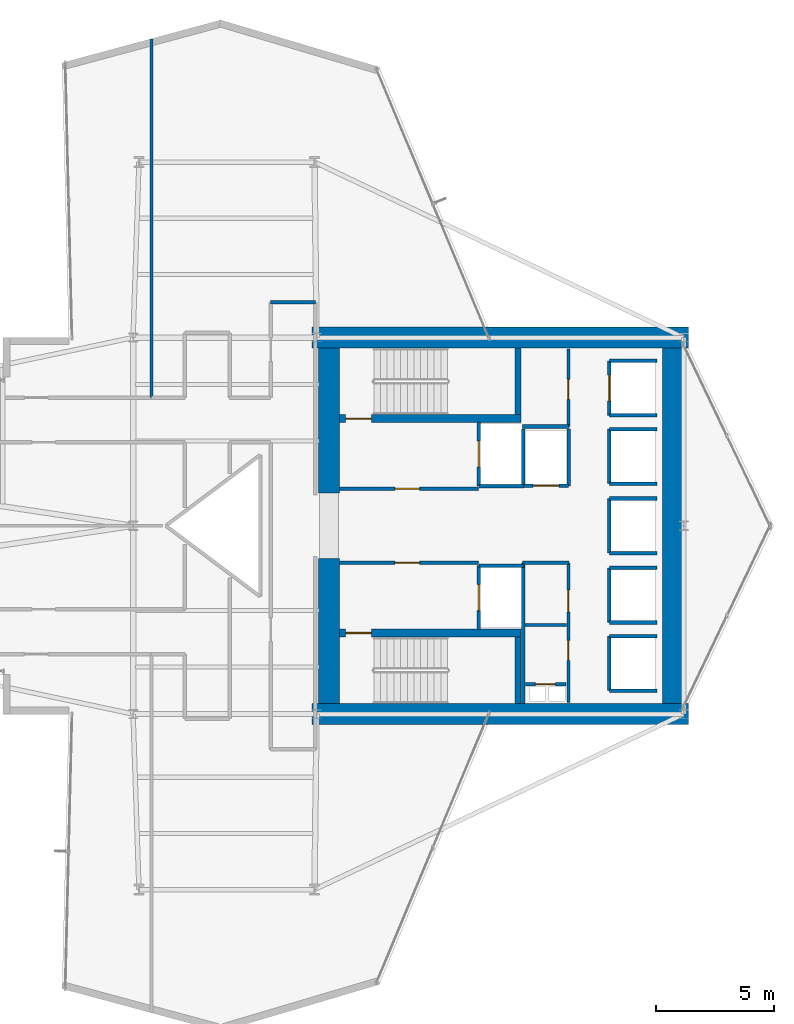
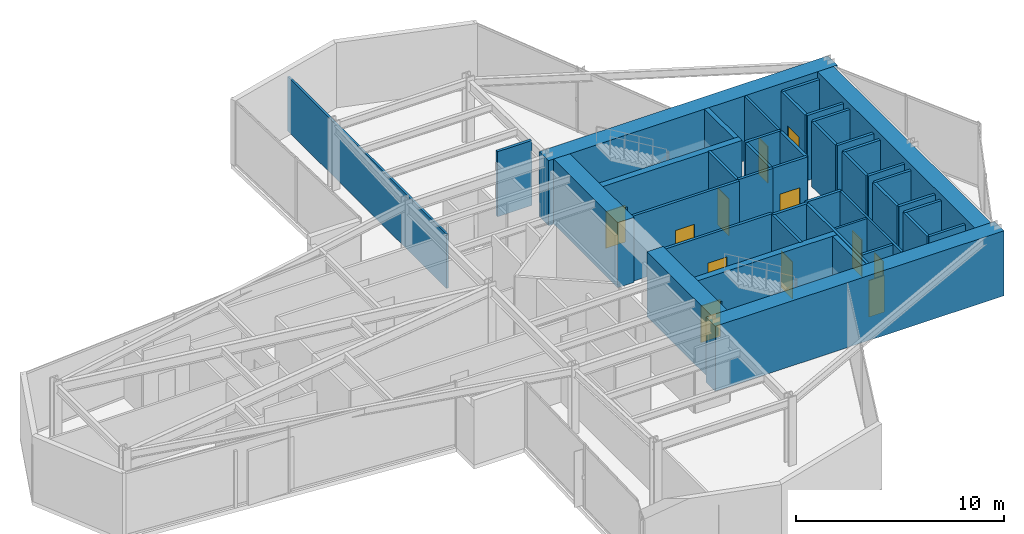
# One storey, part 23 of 25: 42 walls, 12 doors, 12 openings.
"""IFC4 building model written with IfcOpenShell, lengths in metres."""

from ifc_helpers import new_model, si_unit, direction, frame, frame_2d, origin, place, context, subcontext, project, spatial, rectangle, extrude, material, layer, layer_set, type_object, element, fill, save


model = new_model("IFC4")

# Units and contexts
model_context = context("Model", 3, precision=1e-05, world=origin(), true_north=direction((0.0, 1.0)))
body_context = subcontext(model_context, "Body", "Model", "MODEL_VIEW")
ifc_project = project(units=[si_unit("LENGTHUNIT", "METRE"), si_unit("AREAUNIT", "SQUARE_METRE"), si_unit("VOLUMEUNIT", "CUBIC_METRE"), si_unit("PLANEANGLEUNIT", "RADIAN"), si_unit("MASSUNIT", "GRAM", prefix="KILO")], contexts=[model_context])

# Site, building, storey
site_placement = place(None, origin())
site = spatial("IfcSite", under=ifc_project, at=site_placement, CompositionType="ELEMENT")
building_placement = place(site_placement, origin())
building = spatial("IfcBuilding", under=site, at=building_placement, Name="Veymaron Broadcast Tower", CompositionType="ELEMENT")
storey_placement = place(building_placement, frame((0.0, 0.0, 74.25)))
storey = spatial("IfcBuildingStorey", under=building, at=storey_placement, Name="L16", CompositionType="ELEMENT", Elevation=74.25)

# Wall, opening, door
ifc_material_1 = material(Name="Gypsum fireboard and steel stud framing", Category="steel")
ifc_layer_1 = layer(ifc_material_1, 0.14990234375)
ifc_layer_set_1 = layer_set([ifc_layer_1], Name="Gypsum fireboard and steel stud framing")
wall_type_1 = type_object("IfcWallType", Name="WALL-FIRE-150", PredefinedType="PARTITIONING", material=ifc_layer_set_1)
wall_1_placement = place(storey_placement, frame((39.97998046875, 25.574951171875, 0.0), z_axis=(0.0, 0.0, 1.0), x_axis=(1.0, 0.0, 0.0)))
wall_1 = element("IfcWall", 1, at=wall_1_placement, inside=storey, type_object=wall_type_1, Name="L16 partition IW-L16-FFLN-S", PredefinedType="PARTITIONING", context=body_context, shape_type="SweptSolid", body=[
    extrude(rectangle(XDim=5.89990234375, YDim=0.14990234375, at=frame_2d((2.949951171875, 0.0))), origin(), (0.0, 0.0, 1.0), 3.81005859375),
])
opening_1_placement = place(wall_1_placement, frame((2.35009765625, 0.0, 0.0)))
opening_1 = element("IfcOpeningElement", 2, at=opening_1_placement, cuts=wall_1, Name="Opening ID-FL1", PredefinedType="OPENING", context=body_context, shape_type="SweptSolid", body=[
    extrude(rectangle(XDim=1.050048828125, YDim=2.14990234375, at=frame_2d((0.52490234375, 1.074951171875))), frame((0.0, 0.0849609375, 0.0), z_axis=(0.0, -1.0, 0.0), x_axis=(1.0, 0.0, 0.0)), (0.0, 0.0, 1.0), 0.169921875),
])
ifc_material_2 = material(Name="Fire-rated painted hollow steel ASTM A653", Category="steel")
door_type_1 = type_object("IfcDoorType", Name="DOOR-FIRE-1050", OperationType="NOTDEFINED", PredefinedType="DOOR", material=ifc_material_2)
door_1_placement = place(opening_1_placement, origin())
door_1 = element("IfcDoor", 3, at=door_1_placement, inside=storey, type_object=door_type_1, Name="L16 door DR-L16-FFLN", OperationType="SINGLE_SWING_LEFT", OverallHeight=2.14990234375, OverallWidth=1.050048828125, PredefinedType="DOOR", context=body_context, shape_type="SweptSolid", body=[
    extrude(rectangle(XDim=1.050048828125, YDim=2.14990234375, at=frame_2d((0.52490234375, 1.074951171875))), frame((0.0, 0.02490234375, 0.0), z_axis=(0.0, -1.0, 0.0), x_axis=(1.0, 0.0, 0.0)), (0.0, 0.0, 1.0), 0.050048828125),
])
fill(opening_1, door_1)

wall_2_placement = place(storey_placement, frame((39.97998046875, 22.425048828125, 0.0), z_axis=(0.0, 0.0, 1.0), x_axis=(1.0, 0.0, 0.0)))
wall_2 = element("IfcWall", 4, at=wall_2_placement, inside=storey, type_object=wall_type_1, Name="L16 partition IW-L16-FFLS-N", PredefinedType="PARTITIONING", context=body_context, shape_type="SweptSolid", body=[
    extrude(rectangle(XDim=5.89990234375, YDim=0.14990234375, at=frame_2d((2.949951171875, 0.0))), origin(), (0.0, 0.0, 1.0), 3.81005859375),
])
opening_2_placement = place(wall_2_placement, frame((2.35009765625, 0.0, 0.0)))
opening_2 = element("IfcOpeningElement", 5, at=opening_2_placement, cuts=wall_2, Name="Opening ID-FL1", PredefinedType="OPENING", context=body_context, shape_type="SweptSolid", body=[
    extrude(rectangle(XDim=1.050048828125, YDim=2.14990234375, at=frame_2d((0.52490234375, 1.074951171875))), frame((0.0, 0.0849609375, 0.0), z_axis=(0.0, -1.0, 0.0), x_axis=(1.0, 0.0, 0.0)), (0.0, 0.0, 1.0), 0.169921875),
])
door_2_placement = place(opening_2_placement, frame((1.050048828125, 0.0, 0.0), z_axis=(0.0, 0.0, 1.0), x_axis=(-1.0, 0.0, 0.0)))
door_2 = element("IfcDoor", 6, at=door_2_placement, inside=storey, type_object=door_type_1, Name="L16 door DR-L16-FFLS", OperationType="SINGLE_SWING_RIGHT", OverallHeight=2.14990234375, OverallWidth=1.050048828125, PredefinedType="DOOR", context=body_context, shape_type="SweptSolid", body=[
    extrude(rectangle(XDim=1.050048828125, YDim=2.14990234375, at=frame_2d((0.52490234375, 1.074951171875))), frame((0.0, 0.02490234375, 0.0), z_axis=(0.0, -1.0, 0.0), x_axis=(1.0, 0.0, 0.0)), (0.0, 0.0, 1.0), 0.050048828125),
])
fill(opening_2, door_2)

wall_3_placement = place(storey_placement, frame((45.89501953125, 25.68994140625, 0.0), z_axis=(0.0, 0.0, 1.0), x_axis=(0.0, 1.0, 0.0)))
wall_3 = element("IfcWall", 7, at=wall_3_placement, inside=storey, type_object=wall_type_1, Name="L16 partition IW-L16-SHW-FFL-1", PredefinedType="PARTITIONING", context=body_context, shape_type="SweptSolid", body=[
    extrude(rectangle(XDim=2.719970703125, YDim=0.14990234375, at=frame_2d((1.35986328125, 0.0))), origin(), (0.0, 0.0, 1.0), 3.81005859375),
])
opening_3_placement = place(wall_3_placement, frame((0.81005859375, 0.0, 0.0)))
opening_3 = element("IfcOpeningElement", 8, at=opening_3_placement, cuts=wall_3, Name="Opening LD", PredefinedType="OPENING", context=body_context, shape_type="SweptSolid", body=[
    extrude(rectangle(XDim=1.10009765625, YDim=2.14990234375, at=frame_2d((0.550048828125, 1.074951171875))), frame((0.0, 0.0849609375, 0.0), z_axis=(0.0, -1.0, 0.0), x_axis=(1.0, 0.0, 0.0)), (0.0, 0.0, 1.0), 0.169921875),
])
ifc_material_3 = material(Name="Brushed stainless steel AISI 304", Category="steel")
door_type_2 = type_object("IfcDoorType", Name="DOOR-LIFT-1100", OperationType="DOUBLE_DOOR_SLIDING", PredefinedType="DOOR", material=ifc_material_3)
door_3_placement = place(opening_3_placement, frame((1.10009765625, 0.0, 0.0), z_axis=(0.0, 0.0, 1.0), x_axis=(-1.0, 0.0, 0.0)))
door_3 = element("IfcDoor", 9, at=door_3_placement, inside=storey, type_object=door_type_2, Name="L16 door LD-L16-FFL-1", OperationType="DOUBLE_DOOR_SLIDING", OverallHeight=2.14990234375, OverallWidth=1.10009765625, PredefinedType="DOOR", context=body_context, shape_type="SweptSolid", body=[
    extrude(rectangle(XDim=1.10009765625, YDim=2.14990234375, at=frame_2d((0.550048828125, 1.074951171875))), frame((0.0, 0.02490234375, 0.0), z_axis=(0.0, -1.0, 0.0), x_axis=(1.0, 0.0, 0.0)), (0.0, 0.0, 1.0), 0.050048828125),
])
fill(opening_3, door_3)

# Wall
wall_4_placement = place(storey_placement, frame((45.89501953125, 25.68994140625, 0.0), z_axis=(0.0, 0.0, 1.0), x_axis=(1.0, 0.0, 0.0)))
element("IfcWall", 10, at=wall_4_placement, inside=storey, type_object=wall_type_1, Name="L16 partition IW-L16-SHS-FFL-1", PredefinedType="PARTITIONING", context=body_context, shape_type="SweptSolid", body=[
    extrude(rectangle(XDim=1.9150390625, YDim=0.14990234375, at=frame_2d((0.95751953125, 0.0))), origin(), (0.0, 0.0, 1.0), 3.81005859375),
])

# Wall, opening, door
wall_5_placement = place(storey_placement, frame((45.89501953125, 19.590087890625, 0.0), z_axis=(0.0, 0.0, 1.0), x_axis=(0.0, 1.0, 0.0)))
wall_5 = element("IfcWall", 11, at=wall_5_placement, inside=storey, type_object=wall_type_1, Name="L16 partition IW-L16-SHW-FFL-2", PredefinedType="PARTITIONING", context=body_context, shape_type="SweptSolid", body=[
    extrude(rectangle(XDim=2.719970703125, YDim=0.14990234375, at=frame_2d((1.35986328125, 0.0))), origin(), (0.0, 0.0, 1.0), 3.81005859375),
])
opening_4_placement = place(wall_5_placement, frame((0.81005859375, 0.0, 0.0)))
opening_4 = element("IfcOpeningElement", 12, at=opening_4_placement, cuts=wall_5, Name="Opening LD", PredefinedType="OPENING", context=body_context, shape_type="SweptSolid", body=[
    extrude(rectangle(XDim=1.10009765625, YDim=2.14990234375, at=frame_2d((0.550048828125, 1.074951171875))), frame((0.0, 0.0849609375, 0.0), z_axis=(0.0, -1.0, 0.0), x_axis=(1.0, 0.0, 0.0)), (0.0, 0.0, 1.0), 0.169921875),
])
door_4_placement = place(opening_4_placement, frame((1.10009765625, 0.0, 0.0), z_axis=(0.0, 0.0, 1.0), x_axis=(-1.0, 0.0, 0.0)))
door_4 = element("IfcDoor", 13, at=door_4_placement, inside=storey, type_object=door_type_2, Name="L16 door LD-L16-FFL-2", OperationType="DOUBLE_DOOR_SLIDING", OverallHeight=2.14990234375, OverallWidth=1.10009765625, PredefinedType="DOOR", context=body_context, shape_type="SweptSolid", body=[
    extrude(rectangle(XDim=1.10009765625, YDim=2.14990234375, at=frame_2d((0.550048828125, 1.074951171875))), frame((0.0, 0.02490234375, 0.0), z_axis=(0.0, -1.0, 0.0), x_axis=(1.0, 0.0, 0.0)), (0.0, 0.0, 1.0), 0.050048828125),
])
fill(opening_4, door_4)

# Wall
wall_6_placement = place(storey_placement, frame((45.89501953125, 22.31005859375, 0.0), z_axis=(0.0, 0.0, 1.0), x_axis=(1.0, 0.0, 0.0)))
element("IfcWall", 14, at=wall_6_placement, inside=storey, type_object=wall_type_1, Name="L16 partition IW-L16-SHN-FFL-2", PredefinedType="PARTITIONING", context=body_context, shape_type="SweptSolid", body=[
    extrude(rectangle(XDim=1.9150390625, YDim=0.14990234375, at=frame_2d((0.95751953125, 0.0))), origin(), (0.0, 0.0, 1.0), 3.81005859375),
])

# Wall, opening, door
wall_7_placement = place(storey_placement, frame((47.7900390625, 25.695068359375, 0.0), z_axis=(0.0, 0.0, 1.0), x_axis=(1.0, 0.0, 0.0)))
wall_7 = element("IfcWall", 15, at=wall_7_placement, inside=storey, type_object=wall_type_1, Name="L16 partition IW-L16-SHS-SL-1", PredefinedType="PARTITIONING", context=body_context, shape_type="SweptSolid", body=[
    extrude(rectangle(XDim=1.919921875, YDim=0.14990234375, at=frame_2d((0.9599609375, 0.0))), origin(), (0.0, 0.0, 1.0), 3.81005859375),
])
opening_5_placement = place(wall_7_placement, frame((0.409912109375, 0.0, 0.0)))
opening_5 = element("IfcOpeningElement", 16, at=opening_5_placement, cuts=wall_7, Name="Opening LD", PredefinedType="OPENING", context=body_context, shape_type="SweptSolid", body=[
    extrude(rectangle(XDim=1.10009765625, YDim=2.14990234375, at=frame_2d((0.550048828125, 1.074951171875))), frame((0.0, 0.0849609375, 0.0), z_axis=(0.0, -1.0, 0.0), x_axis=(1.0, 0.0, 0.0)), (0.0, 0.0, 1.0), 0.169921875),
])
door_5_placement = place(opening_5_placement, frame((1.10009765625, 0.0, 0.0), z_axis=(0.0, 0.0, 1.0), x_axis=(-1.0, 0.0, 0.0)))
door_5 = element("IfcDoor", 17, at=door_5_placement, inside=storey, type_object=door_type_2, Name="L16 door LD-L16-SL-1", OperationType="DOUBLE_DOOR_SLIDING", OverallHeight=2.14990234375, OverallWidth=1.10009765625, PredefinedType="DOOR", context=body_context, shape_type="SweptSolid", body=[
    extrude(rectangle(XDim=1.10009765625, YDim=2.14990234375, at=frame_2d((0.550048828125, 1.074951171875))), frame((0.0, 0.02490234375, 0.0), z_axis=(0.0, -1.0, 0.0), x_axis=(1.0, 0.0, 0.0)), (0.0, 0.0, 1.0), 0.050048828125),
])
fill(opening_5, door_5)

# Walls
for number, where, z_axis, x_axis, name in (
    (18, (47.7900390625, 25.695068359375, 0.0), (0.0, 0.0, 1.0), (0.0, 1.0, 0.0), "L16 partition IW-L16-SHW-SL-1"),
    (19, (49.7099609375, 25.695068359375, 0.0), (0.0, 0.0, 1.0), (0.0, 1.0, 0.0), "L16 partition IW-L16-SHE-SL-1"),
):
    element("IfcWall", number, at=place(storey_placement, frame(where, z_axis=z_axis, x_axis=x_axis)), inside=storey, type_object=wall_type_1, Name=name, PredefinedType="PARTITIONING", context=body_context, shape_type="SweptSolid", body=[
        extrude(rectangle(XDim=2.4150390625, YDim=0.14990234375, at=frame_2d((1.20751953125, 0.0))), origin(), (0.0, 0.0, 1.0), 3.81005859375),
    ])

# Wall, opening, door
wall_8_placement = place(storey_placement, frame((51.445068359375, 28.68994140625, 0.0), z_axis=(0.0, 0.0, 1.0), x_axis=(0.0, 1.0, 0.0)))
wall_8 = element("IfcWall", 20, at=wall_8_placement, inside=storey, type_object=wall_type_1, Name="L16 partition IW-L16-SHW-PL1", PredefinedType="PARTITIONING", context=body_context, shape_type="SweptSolid", body=[
    extrude(rectangle(XDim=2.320068359375, YDim=0.14990234375, at=frame_2d((1.16015625, 0.0))), origin(), (0.0, 0.0, 1.0), 3.81005859375),
])
opening_6_placement = place(wall_8_placement, frame((0.610107421875, 0.0, 0.0)))
opening_6 = element("IfcOpeningElement", 21, at=opening_6_placement, cuts=wall_8, Name="Opening LD", PredefinedType="OPENING", context=body_context, shape_type="SweptSolid", body=[
    extrude(rectangle(XDim=1.10009765625, YDim=2.14990234375, at=frame_2d((0.550048828125, 1.074951171875))), frame((0.0, 0.0849609375, 0.0), z_axis=(0.0, -1.0, 0.0), x_axis=(1.0, 0.0, 0.0)), (0.0, 0.0, 1.0), 0.169921875),
])
door_6_placement = place(opening_6_placement, frame((1.10009765625, 0.0, 0.0), z_axis=(0.0, 0.0, 1.0), x_axis=(-1.0, 0.0, 0.0)))
door_6 = element("IfcDoor", 22, at=door_6_placement, inside=storey, type_object=door_type_2, Name="L16 door LD-L16-PL1", OperationType="DOUBLE_DOOR_SLIDING", OverallHeight=2.14990234375, OverallWidth=1.10009765625, PredefinedType="DOOR", context=body_context, shape_type="SweptSolid", body=[
    extrude(rectangle(XDim=1.10009765625, YDim=2.14990234375, at=frame_2d((0.550048828125, 1.074951171875))), frame((0.0, 0.02490234375, 0.0), z_axis=(0.0, -1.0, 0.0), x_axis=(1.0, 0.0, 0.0)), (0.0, 0.0, 1.0), 0.050048828125),
])
fill(opening_6, door_6)

# Walls
for number, where, z_axis, x_axis, name in (
    (23, (51.445068359375, 28.68994140625, 0.0), (0.0, 0.0, 1.0), (1.0, 0.0, 0.0), "L16 partition IW-L16-SHS-PL1"),
    (24, (51.445068359375, 31.010009765625, 0.0), (0.0, 0.0, 1.0), (1.0, 0.0, 0.0), "L16 partition IW-L16-SHN-PL1"),
):
    element("IfcWall", number, at=place(storey_placement, frame(where, z_axis=z_axis, x_axis=x_axis)), inside=storey, type_object=wall_type_1, Name=name, PredefinedType="PARTITIONING", context=body_context, shape_type="SweptSolid", body=[
        extrude(rectangle(XDim=2.014892578125, YDim=0.14990234375, at=frame_2d((1.00732421875, 0.0))), origin(), (0.0, 0.0, 1.0), 3.81005859375),
    ])
wall_9_placement = place(storey_placement, frame((51.445068359375, 25.7900390625, 0.0), z_axis=(0.0, 0.0, 1.0), x_axis=(0.0, 1.0, 0.0)))
element("IfcWall", 25, at=wall_9_placement, inside=storey, type_object=wall_type_1, Name="L16 partition IW-L16-SHW-PM1", PredefinedType="PARTITIONING", context=body_context, shape_type="SweptSolid", body=[
    extrude(rectangle(XDim=2.320068359375, YDim=0.14990234375, at=frame_2d((1.16015625, 0.0))), origin(), (0.0, 0.0, 1.0), 3.81005859375),
])
for number, where, z_axis, x_axis, name in (
    (26, (51.445068359375, 25.7900390625, 0.0), (0.0, 0.0, 1.0), (1.0, 0.0, 0.0), "L16 partition IW-L16-SHS-PM1"),
    (27, (51.445068359375, 28.110107421875, 0.0), (0.0, 0.0, 1.0), (1.0, 0.0, 0.0), "L16 partition IW-L16-SHN-PM1"),
):
    element("IfcWall", number, at=place(storey_placement, frame(where, z_axis=z_axis, x_axis=x_axis)), inside=storey, type_object=wall_type_1, Name=name, PredefinedType="PARTITIONING", context=body_context, shape_type="SweptSolid", body=[
        extrude(rectangle(XDim=2.014892578125, YDim=0.14990234375, at=frame_2d((1.00732421875, 0.0))), origin(), (0.0, 0.0, 1.0), 3.81005859375),
    ])
wall_10_placement = place(storey_placement, frame((51.445068359375, 19.889892578125, 0.0), z_axis=(0.0, 0.0, 1.0), x_axis=(0.0, 1.0, 0.0)))
element("IfcWall", 28, at=wall_10_placement, inside=storey, type_object=wall_type_1, Name="L16 partition IW-L16-SHW-PM2", PredefinedType="PARTITIONING", context=body_context, shape_type="SweptSolid", body=[
    extrude(rectangle(XDim=2.320068359375, YDim=0.14990234375, at=frame_2d((1.16015625, 0.0))), origin(), (0.0, 0.0, 1.0), 3.81005859375),
])
for number, where, z_axis, x_axis, name in (
    (29, (51.445068359375, 19.889892578125, 0.0), (0.0, 0.0, 1.0), (1.0, 0.0, 0.0), "L16 partition IW-L16-SHS-PM2"),
    (30, (51.445068359375, 22.2099609375, 0.0), (0.0, 0.0, 1.0), (1.0, 0.0, 0.0), "L16 partition IW-L16-SHN-PM2"),
):
    element("IfcWall", number, at=place(storey_placement, frame(where, z_axis=z_axis, x_axis=x_axis)), inside=storey, type_object=wall_type_1, Name=name, PredefinedType="PARTITIONING", context=body_context, shape_type="SweptSolid", body=[
        extrude(rectangle(XDim=2.014892578125, YDim=0.14990234375, at=frame_2d((1.00732421875, 0.0))), origin(), (0.0, 0.0, 1.0), 3.81005859375),
    ])
wall_11_placement = place(storey_placement, frame((51.445068359375, 22.840087890625, 0.0), z_axis=(0.0, 0.0, 1.0), x_axis=(0.0, 1.0, 0.0)))
element("IfcWall", 31, at=wall_11_placement, inside=storey, type_object=wall_type_1, Name="L16 partition IW-L16-SHW-PM3", PredefinedType="PARTITIONING", context=body_context, shape_type="SweptSolid", body=[
    extrude(rectangle(XDim=2.31982421875, YDim=0.14990234375, at=frame_2d((1.159912109375, 0.0))), origin(), (0.0, 0.0, 1.0), 3.81005859375),
])
for number, where, z_axis, x_axis, name in (
    (32, (51.445068359375, 22.840087890625, 0.0), (0.0, 0.0, 1.0), (1.0, 0.0, 0.0), "L16 partition IW-L16-SHS-PM3"),
    (33, (51.445068359375, 25.159912109375, 0.0), (0.0, 0.0, 1.0), (1.0, 0.0, 0.0), "L16 partition IW-L16-SHN-PM3"),
):
    element("IfcWall", number, at=place(storey_placement, frame(where, z_axis=z_axis, x_axis=x_axis)), inside=storey, type_object=wall_type_1, Name=name, PredefinedType="PARTITIONING", context=body_context, shape_type="SweptSolid", body=[
        extrude(rectangle(XDim=2.014892578125, YDim=0.14990234375, at=frame_2d((1.00732421875, 0.0))), origin(), (0.0, 0.0, 1.0), 3.81005859375),
    ])
wall_12_placement = place(storey_placement, frame((51.445068359375, 16.989990234375, 0.0), z_axis=(0.0, 0.0, 1.0), x_axis=(0.0, 1.0, 0.0)))
element("IfcWall", 34, at=wall_12_placement, inside=storey, type_object=wall_type_1, Name="L16 partition IW-L16-SHW-PH1", PredefinedType="PARTITIONING", context=body_context, shape_type="SweptSolid", body=[
    extrude(rectangle(XDim=2.320068359375, YDim=0.14990234375, at=frame_2d((1.16015625, 0.0))), origin(), (0.0, 0.0, 1.0), 3.81005859375),
])
for number, where, z_axis, x_axis, name in (
    (35, (51.445068359375, 16.989990234375, 0.0), (0.0, 0.0, 1.0), (1.0, 0.0, 0.0), "L16 partition IW-L16-SHS-PH1"),
    (36, (51.445068359375, 19.31005859375, 0.0), (0.0, 0.0, 1.0), (1.0, 0.0, 0.0), "L16 partition IW-L16-SHN-PH1"),
):
    element("IfcWall", number, at=place(storey_placement, frame(where, z_axis=z_axis, x_axis=x_axis)), inside=storey, type_object=wall_type_1, Name=name, PredefinedType="PARTITIONING", context=body_context, shape_type="SweptSolid", body=[
        extrude(rectangle(XDim=2.014892578125, YDim=0.14990234375, at=frame_2d((1.00732421875, 0.0))), origin(), (0.0, 0.0, 1.0), 3.81005859375),
    ])

# Wall, opening, door
wall_13_placement = place(storey_placement, frame((47.8798828125, 17.260009765625, 0.0), z_axis=(0.0, 0.0, 1.0), x_axis=(1.0, 0.0, 0.0)))
wall_13 = element("IfcWall", 37, at=wall_13_placement, inside=storey, type_object=wall_type_1, Name="L16 partition IW-L16-RIS-N", PredefinedType="PARTITIONING", context=body_context, shape_type="SweptSolid", body=[
    extrude(rectangle(XDim=1.72021484375, YDim=0.14990234375, at=frame_2d((0.860107421875, 0.0))), origin(), (0.0, 0.0, 1.0), 3.81005859375),
])
opening_7_placement = place(wall_13_placement, frame((0.419921875, 0.0, 0.0)))
opening_7 = element("IfcOpeningElement", 38, at=opening_7_placement, cuts=wall_13, Name="Opening ID-RS1", PredefinedType="OPENING", context=body_context, shape_type="SweptSolid", body=[
    extrude(rectangle(XDim=0.85009765625, YDim=2.14990234375, at=frame_2d((0.425048828125, 1.074951171875))), frame((0.0, 0.0849609375, 0.0), z_axis=(0.0, -1.0, 0.0), x_axis=(1.0, 0.0, 0.0)), (0.0, 0.0, 1.0), 0.169921875),
])
ifc_material_4 = material(Name="Fire-rated powder-coated steel riser leaf", Category="steel")
door_type_3 = type_object("IfcDoorType", Name="DOOR-RIS-850", OperationType="NOTDEFINED", PredefinedType="TRAPDOOR", material=ifc_material_4)
door_7_placement = place(opening_7_placement, origin())
door_7 = element("IfcDoor", 39, at=door_7_placement, inside=storey, type_object=door_type_3, Name="L16 door DR-L16-RIS", OperationType="SINGLE_SWING_LEFT", OverallHeight=2.14990234375, OverallWidth=0.85009765625, PredefinedType="TRAPDOOR", context=body_context, shape_type="SweptSolid", body=[
    extrude(rectangle(XDim=0.85009765625, YDim=2.14990234375, at=frame_2d((0.425048828125, 1.074951171875))), frame((0.0, 0.02490234375, 0.0), z_axis=(0.0, -1.0, 0.0), x_axis=(1.0, 0.0, 0.0)), (0.0, 0.0, 1.0), 0.050048828125),
])
fill(opening_7, door_7)

# Walls
wall_14_placement = place(storey_placement, frame((47.760009765625, 22.425048828125, 0.0), z_axis=(0.0, 0.0, 1.0), x_axis=(1.0, 0.0, 0.0)))
element("IfcWall", 40, at=wall_14_placement, inside=storey, type_object=wall_type_1, Name="L16 partition IW-L16-SM-N", PredefinedType="PARTITIONING", context=body_context, shape_type="SweptSolid", body=[
    extrude(rectangle(XDim=1.9599609375, YDim=0.14990234375, at=frame_2d((0.97998046875, 0.0))), origin(), (0.0, 0.0, 1.0), 3.81005859375),
])
wall_15_placement = place(storey_placement, frame((47.780029296875, 16.449951171875, 0.0), z_axis=(0.0, 0.0, 1.0), x_axis=(0.0, 1.0, 0.0)))
element("IfcWall", 41, at=wall_15_placement, inside=storey, type_object=wall_type_1, Name="L16 partition IW-L16-SM-W", PredefinedType="PARTITIONING", context=body_context, shape_type="SweptSolid", body=[
    extrude(rectangle(XDim=5.97509765625, YDim=0.14990234375, at=frame_2d((2.987548828125, 0.0))), origin(), (0.0, 0.0, 1.0), 3.81005859375),
])
wall_16_placement = place(storey_placement, frame((47.760009765625, 28.219970703125, 0.0), z_axis=(0.0, 0.0, 1.0), x_axis=(1.0, 0.0, 0.0)))
element("IfcWall", 42, at=wall_16_placement, inside=storey, type_object=wall_type_1, Name="L16 partition IW-L16-NM-S", PredefinedType="PARTITIONING", context=body_context, shape_type="SweptSolid", body=[
    extrude(rectangle(XDim=1.9599609375, YDim=0.14990234375, at=frame_2d((0.97998046875, 0.0))), origin(), (0.0, 0.0, 1.0), 3.81005859375),
])
wall_17_placement = place(storey_placement, frame((37.050048828125, 33.5, 0.0), z_axis=(0.0, 0.0, 1.0), x_axis=(1.0, 0.0, 0.0)))
element("IfcWall", 43, at=wall_17_placement, inside=storey, type_object=wall_type_1, Name="L16 partition IW-L16-P30", PredefinedType="PARTITIONING", context=body_context, shape_type="SweptSolid", body=[
    extrude(rectangle(XDim=1.89990234375, YDim=0.14990234375, at=frame_2d((0.949951171875, 0.0))), origin(), (0.0, 0.0, 1.0), 3.81005859375),
])
ifc_material_5 = material(Name="Acoustic gypsum board and galvanized stud", Category="gypsum")
ifc_layer_2 = layer(ifc_material_5, 0.1201171875)
ifc_layer_set_2 = layer_set([ifc_layer_2], Name="Acoustic gypsum board and galvanized stud")
wall_type_2 = type_object("IfcWallType", Name="WALL-PART-120", PredefinedType="PARTITIONING", material=ifc_layer_set_2)
wall_18_placement = place(storey_placement, frame((47.860107421875, 19.780029296875, 0.0), z_axis=(0.0, 0.0, 1.0), x_axis=(1.0, 0.0, 0.0)))
element("IfcWall", 44, at=wall_18_placement, inside=storey, type_object=wall_type_2, Name="L16 partition IW-L16-SM-DIV", PredefinedType="PARTITIONING", context=body_context, shape_type="SweptSolid", body=[
    extrude(rectangle(XDim=1.760009765625, YDim=0.1201171875, at=frame_2d((0.8798828125, 0.0))), origin(), (0.0, 0.0, 1.0), 3.81005859375),
])

# Wall, openings, doors
wall_19_placement = place(storey_placement, frame((49.699951171875, 16.47998046875, 0.0), z_axis=(0.0, 0.0, 1.0), x_axis=(0.0, 1.0, 0.0)))
wall_19 = element("IfcWall", 45, at=wall_19_placement, inside=storey, type_object=wall_type_2, Name="L16 partition IW-L16-SM-E", PredefinedType="PARTITIONING", context=body_context, shape_type="SweptSolid", body=[
    extrude(rectangle(XDim=5.945068359375, YDim=0.1201171875, at=frame_2d((2.97265625, 0.0))), origin(), (0.0, 0.0, 1.0), 3.81005859375),
])
opening_8_placement = place(wall_19_placement, frame((1.800048828125, 0.0, 0.0)))
opening_8 = element("IfcOpeningElement", 46, at=opening_8_placement, cuts=wall_19, Name="Opening ID-WC1", PredefinedType="OPENING", context=body_context, shape_type="SweptSolid", body=[
    extrude(rectangle(XDim=0.85009765625, YDim=2.14990234375, at=frame_2d((0.425048828125, 1.074951171875))), frame((0.0, 0.070068359375, 0.0), z_axis=(0.0, -1.0, 0.0), x_axis=(1.0, 0.0, 0.0)), (0.0, 0.0, 1.0), 0.14013671875),
])
opening_9_placement = place(wall_19_placement, frame((3.85009765625, 0.0, 0.0)))
opening_9 = element("IfcOpeningElement", 47, at=opening_9_placement, cuts=wall_19, Name="Opening ID-RM1", PredefinedType="OPENING", context=body_context, shape_type="SweptSolid", body=[
    extrude(rectangle(XDim=0.949951171875, YDim=2.14990234375, at=frame_2d((0.47509765625, 1.074951171875))), frame((0.0, 0.070068359375, 0.0), z_axis=(0.0, -1.0, 0.0), x_axis=(1.0, 0.0, 0.0)), (0.0, 0.0, 1.0), 0.14013671875),
])
ifc_material_6 = material(Name="Moisture-resistant high-pressure laminate timber", Category="wood")
door_type_4 = type_object("IfcDoorType", Name="DOOR-INT-850", OperationType="NOTDEFINED", PredefinedType="DOOR", material=ifc_material_6)
door_8_placement = place(opening_8_placement, frame((0.85009765625, 0.0, 0.0), z_axis=(0.0, 0.0, 1.0), x_axis=(-1.0, 0.0, 0.0)))
door_8 = element("IfcDoor", 48, at=door_8_placement, inside=storey, type_object=door_type_4, Name="L16 door DR-L16-SWC", OperationType="SINGLE_SWING_LEFT", OverallHeight=2.14990234375, OverallWidth=0.85009765625, PredefinedType="DOOR", context=body_context, shape_type="SweptSolid", body=[
    extrude(rectangle(XDim=0.85009765625, YDim=2.14990234375, at=frame_2d((0.425048828125, 1.074951171875))), frame((0.0, 0.02490234375, 0.0), z_axis=(0.0, -1.0, 0.0), x_axis=(1.0, 0.0, 0.0)), (0.0, 0.0, 1.0), 0.050048828125),
])
fill(opening_8, door_8)
ifc_material_7 = material(Name="Acoustic solid-core European oak veneer timber", Category="wood")
door_type_5 = type_object("IfcDoorType", Name="DOOR-INT-950", OperationType="NOTDEFINED", PredefinedType="DOOR", material=ifc_material_7)
door_9_placement = place(opening_9_placement, frame((0.949951171875, 0.0, 0.0), z_axis=(0.0, 0.0, 1.0), x_axis=(-1.0, 0.0, 0.0)))
door_9 = element("IfcDoor", 49, at=door_9_placement, inside=storey, type_object=door_type_5, Name="L16 door DR-L16-AWC", OperationType="SINGLE_SWING_RIGHT", OverallHeight=2.14990234375, OverallWidth=0.949951171875, PredefinedType="DOOR", context=body_context, shape_type="SweptSolid", body=[
    extrude(rectangle(XDim=0.949951171875, YDim=2.14990234375, at=frame_2d((0.47509765625, 1.074951171875))), frame((0.0, 0.02490234375, 0.0), z_axis=(0.0, -1.0, 0.0), x_axis=(1.0, 0.0, 0.0)), (0.0, 0.0, 1.0), 0.050048828125),
])
fill(opening_9, door_9)

# Wall, opening, door
wall_20_placement = place(storey_placement, frame((49.699951171875, 28.219970703125, 0.0), z_axis=(0.0, 0.0, 1.0), x_axis=(0.0, 1.0, 0.0)))
wall_20 = element("IfcWall", 50, at=wall_20_placement, inside=storey, type_object=wall_type_2, Name="L16 partition IW-L16-NM-E", PredefinedType="PARTITIONING", context=body_context, shape_type="SweptSolid", body=[
    extrude(rectangle(XDim=3.300048828125, YDim=0.1201171875, at=frame_2d((1.64990234375, 0.0))), origin(), (0.0, 0.0, 1.0), 3.81005859375),
])
opening_10_placement = place(wall_20_placement, frame((1.14990234375, 0.0, 0.0)))
opening_10 = element("IfcOpeningElement", 51, at=opening_10_placement, cuts=wall_20, Name="Opening ID-WC1", PredefinedType="OPENING", context=body_context, shape_type="SweptSolid", body=[
    extrude(rectangle(XDim=0.85009765625, YDim=2.14990234375, at=frame_2d((0.425048828125, 1.074951171875))), frame((0.0, 0.070068359375, 0.0), z_axis=(0.0, -1.0, 0.0), x_axis=(1.0, 0.0, 0.0)), (0.0, 0.0, 1.0), 0.14013671875),
])
door_10_placement = place(opening_10_placement, frame((0.85009765625, 0.0, 0.0), z_axis=(0.0, 0.0, 1.0), x_axis=(-1.0, 0.0, 0.0)))
door_10 = element("IfcDoor", 52, at=door_10_placement, inside=storey, type_object=door_type_4, Name="L16 door DR-L16-NMR", OperationType="SINGLE_SWING_LEFT", OverallHeight=2.14990234375, OverallWidth=0.85009765625, PredefinedType="DOOR", context=body_context, shape_type="SweptSolid", body=[
    extrude(rectangle(XDim=0.85009765625, YDim=2.14990234375, at=frame_2d((0.425048828125, 1.074951171875))), frame((0.0, 0.02490234375, 0.0), z_axis=(0.0, -1.0, 0.0), x_axis=(1.0, 0.0, 0.0)), (0.0, 0.0, 1.0), 0.050048828125),
])
fill(opening_10, door_10)

# Walls
wall_21_placement = place(storey_placement, frame((31.98388671875, 29.449951171875, 0.0), z_axis=(0.0, 0.0, 1.0), x_axis=(0.0, 1.0, 0.0)))
element("IfcWall", 53, at=wall_21_placement, inside=storey, type_object=wall_type_2, Name="L16 partition IW-L16-P40", PredefinedType="PARTITIONING", context=body_context, shape_type="SweptSolid", body=[
    extrude(rectangle(XDim=15.241943359375, YDim=0.1201171875, at=frame_2d((7.62109375, 0.0))), origin(), (0.0, 0.0, 1.0), 3.180908203125),
])
ifc_material_8 = material(Name="Concrete C50/60", Category="concrete")
ifc_layer_3 = layer(ifc_material_8, 0.25)
ifc_layer_set_3 = layer_set([ifc_layer_3], Name="Concrete C50/60")
wall_type_3 = type_object("IfcWallType", Name="WALL-SHEAR-250", PredefinedType="SHEAR", material=ifc_layer_set_3)
for number, where, z_axis, x_axis, name in (
    (54, (47.56494140625, 28.72998046875, 0.0), (0.0, 0.0, 1.0), (0.0, 1.0, 0.0), "L16 Core Wall north stair east shear"),
    (55, (47.56494140625, 16.449951171875, 0.0), (0.0, 0.0, 1.0), (0.0, 1.0, 0.0), "L16 Core Wall south stair east shear"),
):
    element("IfcWall", number, at=place(storey_placement, frame(where, z_axis=z_axis, x_axis=x_axis)), inside=storey, type_object=wall_type_3, Name=name, PredefinedType="SHEAR", context=body_context, shape_type="SweptSolid", body=[
        extrude(rectangle(XDim=2.820068359375, YDim=0.25, at=frame_2d((1.41015625, 0.0))), origin(), (0.0, 0.0, 1.0), 3.81005859375),
    ])

# Wall, opening, door
ifc_layer_4 = layer(ifc_material_8, 0.35009765625)
ifc_layer_set_4 = layer_set([ifc_layer_4], Name="Concrete C50/60")
wall_type_4 = type_object("IfcWallType", Name="WALL-SHEAR-350", PredefinedType="SHEAR", material=ifc_layer_set_4)
wall_22_placement = place(storey_placement, frame((39.97998046875, 28.554931640625, 0.0), z_axis=(0.0, 0.0, 1.0), x_axis=(1.0, 0.0, 0.0)))
wall_22 = element("IfcWall", 56, at=wall_22_placement, inside=storey, type_object=wall_type_4, Name="L16 Core Wall north stair spine", PredefinedType="SHEAR", context=body_context, shape_type="SweptSolid", body=[
    extrude(rectangle(XDim=7.7099609375, YDim=0.35009765625, at=frame_2d((3.85498046875, 0.0))), origin(), (0.0, 0.0, 1.0), 3.81005859375),
])
opening_11_placement = place(wall_22_placement, frame((0.25, 0.0, 0.0)))
opening_11 = element("IfcOpeningElement", 57, at=opening_11_placement, cuts=wall_22, Name="Opening ID-ST1", PredefinedType="OPENING", context=body_context, shape_type="SweptSolid", body=[
    extrude(rectangle(XDim=1.10009765625, YDim=2.14990234375, at=frame_2d((0.550048828125, 1.074951171875))), frame((0.0, 0.18505859375, 0.0), z_axis=(0.0, -1.0, 0.0), x_axis=(1.0, 0.0, 0.0)), (0.0, 0.0, 1.0), 0.3701171875),
])
door_type_6 = type_object("IfcDoorType", Name="DOOR-STAIR-1100", OperationType="NOTDEFINED", PredefinedType="DOOR", material=ifc_material_2)
door_11_placement = place(opening_11_placement, origin())
door_11 = element("IfcDoor", 58, at=door_11_placement, inside=storey, type_object=door_type_6, Name="L16 exit stair ST1 fire door", OperationType="SINGLE_SWING_LEFT", OverallHeight=2.14990234375, OverallWidth=1.10009765625, PredefinedType="DOOR", context=body_context, shape_type="SweptSolid", body=[
    extrude(rectangle(XDim=1.10009765625, YDim=2.14990234375, at=frame_2d((0.550048828125, 1.074951171875))), frame((0.0, 0.02490234375, 0.0), z_axis=(0.0, -1.0, 0.0), x_axis=(1.0, 0.0, 0.0)), (0.0, 0.0, 1.0), 0.050048828125),
])
fill(opening_11, door_11)

wall_23_placement = place(storey_placement, frame((39.97998046875, 19.445068359375, 0.0), z_axis=(0.0, 0.0, 1.0), x_axis=(1.0, 0.0, 0.0)))
wall_23 = element("IfcWall", 59, at=wall_23_placement, inside=storey, type_object=wall_type_4, Name="L16 Core Wall south stair spine", PredefinedType="SHEAR", context=body_context, shape_type="SweptSolid", body=[
    extrude(rectangle(XDim=7.7099609375, YDim=0.35009765625, at=frame_2d((3.85498046875, 0.0))), origin(), (0.0, 0.0, 1.0), 3.81005859375),
])
opening_12_placement = place(wall_23_placement, frame((0.25, 0.0, 0.0)))
opening_12 = element("IfcOpeningElement", 60, at=opening_12_placement, cuts=wall_23, Name="Opening ID-ST1", PredefinedType="OPENING", context=body_context, shape_type="SweptSolid", body=[
    extrude(rectangle(XDim=1.10009765625, YDim=2.14990234375, at=frame_2d((0.550048828125, 1.074951171875))), frame((0.0, 0.18505859375, 0.0), z_axis=(0.0, -1.0, 0.0), x_axis=(1.0, 0.0, 0.0)), (0.0, 0.0, 1.0), 0.3701171875),
])
door_12_placement = place(opening_12_placement, frame((1.10009765625, 0.0, 0.0), z_axis=(0.0, 0.0, 1.0), x_axis=(-1.0, 0.0, 0.0)))
door_12 = element("IfcDoor", 61, at=door_12_placement, inside=storey, type_object=door_type_6, Name="L16 exit stair ST2 fire door", OperationType="SINGLE_SWING_RIGHT", OverallHeight=2.14990234375, OverallWidth=1.10009765625, PredefinedType="DOOR", context=body_context, shape_type="SweptSolid", body=[
    extrude(rectangle(XDim=1.10009765625, YDim=2.14990234375, at=frame_2d((0.550048828125, 1.074951171875))), frame((0.0, 0.02490234375, 0.0), z_axis=(0.0, -1.0, 0.0), x_axis=(1.0, 0.0, 0.0)), (0.0, 0.0, 1.0), 0.050048828125),
])
fill(opening_12, door_12)

# Walls
ifc_material_9 = material(Name="Concrete C70/85", Category="concrete")
ifc_layer_5 = layer(ifc_material_9, 0.89990234375)
ifc_layer_set_5 = layer_set([ifc_layer_5], Name="Concrete C70/85")
wall_type_5 = type_object("IfcWallType", Name="WALL-SHEAR-900", PredefinedType="SHEAR", material=ifc_layer_set_5)
for number, where, z_axis, x_axis, name in (
    (62, (38.800048828125, 32.0, 0.0), (0.0, 0.0, 1.0), (1.0, 0.0, 0.0), "L16 Core Wall north shear"),
    (63, (38.800048828125, 16.0, 0.0), (0.0, 0.0, 1.0), (1.0, 0.0, 0.0), "L16 Core Wall south shear"),
):
    element("IfcWall", number, at=place(storey_placement, frame(where, z_axis=z_axis, x_axis=x_axis)), inside=storey, type_object=wall_type_5, Name=name, PredefinedType="SHEAR", context=body_context, shape_type="SweptSolid", body=[
        extrude(rectangle(XDim=16.0, YDim=0.89990234375, at=frame_2d((8.0, 0.0))), origin(), (0.0, 0.0, 1.0), 3.81005859375),
    ])
for number, where, z_axis, x_axis, name in (
    (64, (39.530029296875, 16.449951171875, 0.0), (0.0, 0.0, 1.0), (0.0, 1.0, 0.0), "L16 Core Wall west-south shear"),
    (65, (39.530029296875, 25.39990234375, 0.0), (0.0, 0.0, 1.0), (0.0, 1.0, 0.0), "L16 Core Wall west-north shear"),
):
    element("IfcWall", number, at=place(storey_placement, frame(where, z_axis=z_axis, x_axis=x_axis)), inside=storey, type_object=wall_type_5, Name=name, PredefinedType="SHEAR", context=body_context, shape_type="SweptSolid", body=[
        extrude(rectangle(XDim=6.150146484375, YDim=0.89990234375, at=frame_2d((3.0751953125, 0.0))), origin(), (0.0, 0.0, 1.0), 3.81005859375),
    ])
wall_24_placement = place(storey_placement, frame((54.14990234375, 16.449951171875, 0.0), z_axis=(0.0, 0.0, 1.0), x_axis=(0.0, 1.0, 0.0)))
element("IfcWall", 66, at=wall_24_placement, inside=storey, type_object=wall_type_5, Name="L16 Core Wall east shear", PredefinedType="SHEAR", context=body_context, shape_type="SweptSolid", body=[
    extrude(rectangle(XDim=15.10009765625, YDim=0.89990234375, at=frame_2d((7.550048828125, 0.0))), origin(), (0.0, 0.0, 1.0), 3.81005859375),
])

save(model, "model.ifc")
